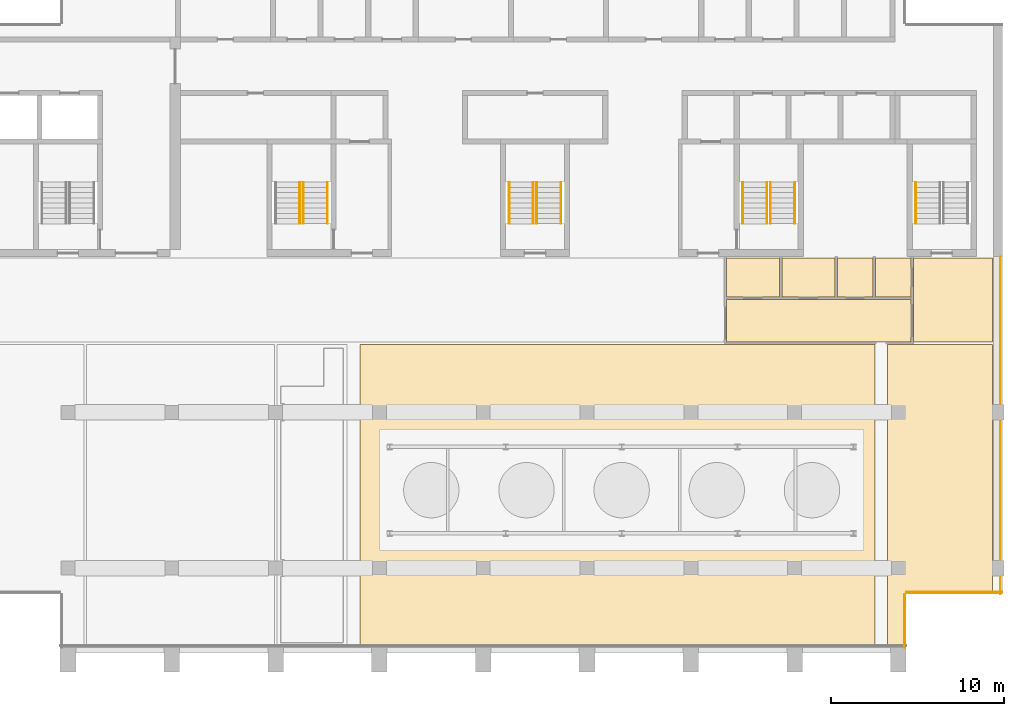
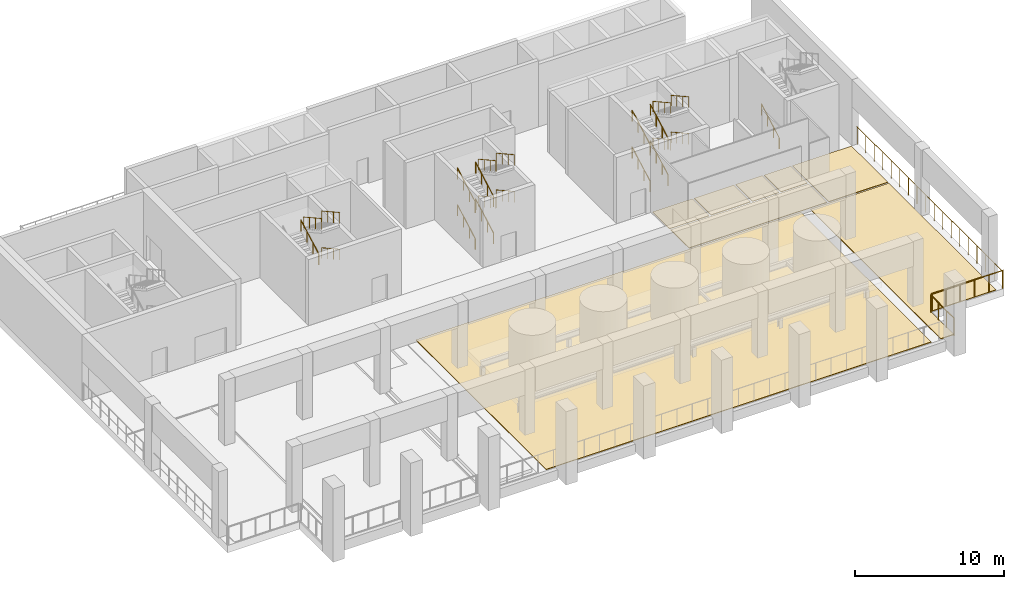
# One storey, part 9 of 11: 24 railings, 8 coverings, 4 elements without a shape of their own.
"""IFC4 building model written with IfcOpenShell, lengths in metres."""

from ifc_helpers import new_model, si_unit, direction, frame, origin, origin_2d, place, context, subcontext, project, spatial, polyline, circle, outline, extrude, material, layer, layer_set, type_object, element, aggregate, save


model = new_model("IFC4")

# Units and contexts
model_context = context("Model", 3, precision=1e-05, world=origin(), true_north=direction((0.0, 1.0)))
body_context = subcontext(model_context, "Body", "Model", "MODEL_VIEW")
ifc_project = project(units=[si_unit("LENGTHUNIT", "METRE"), si_unit("AREAUNIT", "SQUARE_METRE"), si_unit("VOLUMEUNIT", "CUBIC_METRE"), si_unit("PLANEANGLEUNIT", "RADIAN"), si_unit("MASSUNIT", "GRAM", prefix="KILO")], contexts=[model_context])

# Site, building, storey
site_placement = place(None, origin())
site = spatial("IfcSite", under=ifc_project, at=site_placement, CompositionType="ELEMENT")
building_placement = place(site_placement, origin())
building = spatial("IfcBuilding", under=site, at=building_placement, Name="Calvaro Tower", CompositionType="ELEMENT")
storey_placement = place(building_placement, frame((0.0, 0.0, 265.949951171875)))
storey = spatial("IfcBuildingStorey", under=building, at=storey_placement, Name="L67", CompositionType="ELEMENT", Elevation=265.949951171875)

# Coverings
ifc_material_1 = material(Name="Cement screed with carpet tile finish")
ifc_layer = layer(ifc_material_1, 0.050048828125)
ifc_layer_set = layer_set([ifc_layer], Name="Cement screed with carpet tile finish")
covering_type = type_object("IfcCoveringType", Name="Floor finish 50", PredefinedType="FLOORING", material=ifc_layer_set)
covering_1_placement = place(storey_placement, origin())
element("IfcCovering", 1, at=covering_1_placement, inside=storey, type_object=covering_type, Name="Floor finish 39.03", PredefinedType="FLOORING", context=body_context, shape_type="SweptSolid", body=[
    extrude(outline(polyline([(60.8701171875, 23.070068359375), (60.8701171875, 27.929931640625), (65.429931640625, 27.929931640625), (65.429931640625, 23.070068359375), (60.8701171875, 23.070068359375)])), origin(), (0.0, 0.0, 1.0), 0.050048828125),
])
covering_2_placement = place(storey_placement, origin())
element("IfcCovering", 2, at=covering_2_placement, inside=storey, type_object=covering_type, Name="Floor finish 39.06", PredefinedType="FLOORING", context=body_context, shape_type="SweptSolid", body=[
    extrude(outline(polyline([(58.6298828125, 22.929931640625), (58.6298828125, 5.469970703125), (28.8701171875, 5.469970703125), (28.8701171875, 22.929931640625), (58.6298828125, 22.929931640625)])), origin(), (0.0, 0.0, 1.0), 0.050048828125),
])
covering_3_placement = place(storey_placement, origin())
element("IfcCovering", 3, at=covering_3_placement, inside=storey, type_object=covering_type, Name="Floor finish 39.08", PredefinedType="FLOORING", context=body_context, shape_type="SweptSolid", body=[
    extrude(outline(polyline([(60.3798828125, 8.570068359375), (60.3798828125, 5.469970703125), (59.3701171875, 5.469970703125), (59.3701171875, 22.929931640625), (65.429931640625, 22.929931640625), (65.429931640625, 8.570068359375), (60.3798828125, 8.570068359375)])), origin(), (0.0, 0.0, 1.0), 0.050048828125),
])
covering_4_placement = place(storey_placement, origin())
element("IfcCovering", 4, at=covering_4_placement, inside=storey, type_object=covering_type, Name="Floor finish 39.01", PredefinedType="FLOORING", context=body_context, shape_type="SweptSolid", body=[
    extrude(outline(polyline([(50.070068359375, 25.530029296875), (60.72998046875, 25.530029296875), (60.72998046875, 23.070068359375), (50.070068359375, 23.070068359375), (50.070068359375, 25.530029296875)])), origin(), (0.0, 0.0, 1.0), 0.050048828125),
])
covering_5_placement = place(storey_placement, origin())
element("IfcCovering", 5, at=covering_5_placement, inside=storey, type_object=covering_type, Name="Floor finish 39.09", PredefinedType="FLOORING", context=body_context, shape_type="SweptSolid", body=[
    extrude(outline(polyline([(50.070068359375, 27.929931640625), (53.1298828125, 27.929931640625), (53.1298828125, 25.669921875), (50.070068359375, 25.669921875), (50.070068359375, 27.929931640625)])), origin(), (0.0, 0.0, 1.0), 0.050048828125),
])
covering_6_placement = place(storey_placement, origin())
element("IfcCovering", 6, at=covering_6_placement, inside=storey, type_object=covering_type, Name="Floor finish 39.10", PredefinedType="FLOORING", context=body_context, shape_type="SweptSolid", body=[
    extrude(outline(polyline([(53.27001953125, 27.929931640625), (56.330078125, 27.929931640625), (56.330078125, 25.669921875), (53.27001953125, 25.669921875), (53.27001953125, 27.929931640625)])), origin(), (0.0, 0.0, 1.0), 0.050048828125),
])
covering_7_placement = place(storey_placement, origin())
element("IfcCovering", 7, at=covering_7_placement, inside=storey, type_object=covering_type, Name="Floor finish 39.11", PredefinedType="FLOORING", context=body_context, shape_type="SweptSolid", body=[
    extrude(outline(polyline([(56.469970703125, 27.929931640625), (58.530029296875, 27.929931640625), (58.530029296875, 25.669921875), (56.469970703125, 25.669921875), (56.469970703125, 27.929931640625)])), origin(), (0.0, 0.0, 1.0), 0.050048828125),
])
covering_8_placement = place(storey_placement, origin())
element("IfcCovering", 8, at=covering_8_placement, inside=storey, type_object=covering_type, Name="Floor finish 39.12", PredefinedType="FLOORING", context=body_context, shape_type="SweptSolid", body=[
    extrude(outline(polyline([(58.669921875, 27.929931640625), (60.72998046875, 27.929931640625), (60.72998046875, 25.669921875), (58.669921875, 25.669921875), (58.669921875, 27.929931640625)])), origin(), (0.0, 0.0, 1.0), 0.050048828125),
])

# Railings
ifc_material_2 = material(Name="Stainless steel", Category="steel")
railing_type_1 = type_object("IfcRailingType", Name="Guard 1450", PredefinedType="GUARDRAIL", material=ifc_material_2)
railing_1_placement = place(storey_placement, frame((60.35009765625, 8.5, 0.0)))
element("IfcRailing", 9, at=railing_1_placement, inside=storey, type_object=railing_type_1, Name="Edge guard", PredefinedType="GUARDRAIL", context=body_context, shape_type="SweptSolid", body=[
    extrude(circle(Radius=0.02392578125, at=origin_2d()), frame((0.0, 0.0, 1.42578125), z_axis=(0.0, -1.0, 0.0), x_axis=(1.0, 0.0, 0.0)), (0.0, 0.0, 1.0), 3.10009765625),
    extrude(circle(Radius=0.02099609375, at=origin_2d()), frame((0.0, -0.02099609375, 0.0)), (0.0, 0.0, 1.0), 1.40185546875),
    extrude(circle(Radius=0.02099609375, at=origin_2d()), frame((0.0, -1.033447265625, 0.0)), (0.0, 0.0, 1.0), 1.40185546875),
    extrude(circle(Radius=0.02099609375, at=origin_2d()), frame((0.0, -2.066650390625, 0.0)), (0.0, 0.0, 1.0), 1.40185546875),
    extrude(circle(Radius=0.02099609375, at=origin_2d()), frame((0.0, -3.0791015625, 0.0)), (0.0, 0.0, 1.0), 1.40185546875),
])
railing_2_placement = place(storey_placement, frame((65.89990234375, 8.5, 0.0)))
element("IfcRailing", 10, at=railing_2_placement, inside=storey, type_object=railing_type_1, Name="Edge guard", PredefinedType="GUARDRAIL", context=body_context, shape_type="SweptSolid", body=[
    extrude(circle(Radius=0.02392578125, at=origin_2d()), frame((0.0, 0.0, 1.42578125), z_axis=(0.0, 1.0, 0.0), x_axis=(-1.0, 0.0, 0.0)), (0.0, 0.0, 1.0), 19.5),
    extrude(circle(Radius=0.02099609375, at=origin_2d()), frame((0.0, 0.02099609375, 0.0)), (0.0, 0.0, 1.0), 1.40185546875),
    extrude(circle(Radius=0.02099609375, at=origin_2d()), frame((0.0, 1.14697265625, 0.0)), (0.0, 0.0, 1.0), 1.40185546875),
    extrude(circle(Radius=0.02099609375, at=origin_2d()), frame((0.0, 2.294189453125, 0.0)), (0.0, 0.0, 1.0), 1.40185546875),
    extrude(circle(Radius=0.02099609375, at=origin_2d()), frame((0.0, 3.441162109375, 0.0)), (0.0, 0.0, 1.0), 1.40185546875),
    extrude(circle(Radius=0.02099609375, at=origin_2d()), frame((0.0, 4.588134765625, 0.0)), (0.0, 0.0, 1.0), 1.40185546875),
    extrude(circle(Radius=0.02099609375, at=origin_2d()), frame((0.0, 5.7353515625, 0.0)), (0.0, 0.0, 1.0), 1.40185546875),
    extrude(circle(Radius=0.02099609375, at=origin_2d()), frame((0.0, 6.88232421875, 0.0)), (0.0, 0.0, 1.0), 1.40185546875),
    extrude(circle(Radius=0.02099609375, at=origin_2d()), frame((0.0, 8.029296875, 0.0)), (0.0, 0.0, 1.0), 1.40185546875),
    extrude(circle(Radius=0.02099609375, at=origin_2d()), frame((0.0, 9.176513671875, 0.0)), (0.0, 0.0, 1.0), 1.40185546875),
    extrude(circle(Radius=0.02099609375, at=origin_2d()), frame((0.0, 10.323486328125, 0.0)), (0.0, 0.0, 1.0), 1.40185546875),
    extrude(circle(Radius=0.02099609375, at=origin_2d()), frame((0.0, 11.470703125, 0.0)), (0.0, 0.0, 1.0), 1.40185546875),
    extrude(circle(Radius=0.02099609375, at=origin_2d()), frame((0.0, 12.61767578125, 0.0)), (0.0, 0.0, 1.0), 1.40185546875),
    extrude(circle(Radius=0.02099609375, at=origin_2d()), frame((0.0, 13.7646484375, 0.0)), (0.0, 0.0, 1.0), 1.40185546875),
    extrude(circle(Radius=0.02099609375, at=origin_2d()), frame((0.0, 14.911865234375, 0.0)), (0.0, 0.0, 1.0), 1.40185546875),
    extrude(circle(Radius=0.02099609375, at=origin_2d()), frame((0.0, 16.058837890625, 0.0)), (0.0, 0.0, 1.0), 1.40185546875),
    extrude(circle(Radius=0.02099609375, at=origin_2d()), frame((0.0, 17.205810546875, 0.0)), (0.0, 0.0, 1.0), 1.40185546875),
    extrude(circle(Radius=0.02099609375, at=origin_2d()), frame((0.0, 18.35302734375, 0.0)), (0.0, 0.0, 1.0), 1.40185546875),
    extrude(circle(Radius=0.02099609375, at=origin_2d()), frame((0.0, 19.47900390625, 0.0)), (0.0, 0.0, 1.0), 1.40185546875),
])
railing_3_placement = place(storey_placement, frame((66.0, 8.60009765625, 0.0)))
element("IfcRailing", 11, at=railing_3_placement, inside=storey, type_object=railing_type_1, Name="Edge guard", PredefinedType="GUARDRAIL", context=body_context, shape_type="SweptSolid", body=[
    extrude(circle(Radius=0.02392578125, at=origin_2d()), frame((0.0, 0.0, 1.42578125), z_axis=(-1.0, 0.0, 0.0), x_axis=(0.0, -1.0, 0.0)), (0.0, 0.0, 1.0), 5.550048828125),
    extrude(circle(Radius=0.02099609375, at=origin_2d()), frame((-0.02099609375, 0.0, 0.0)), (0.0, 0.0, 1.0), 1.40185546875),
    extrude(circle(Radius=0.02099609375, at=origin_2d()), frame((-1.110107421875, 0.0, 0.0)), (0.0, 0.0, 1.0), 1.40185546875),
    extrude(circle(Radius=0.02099609375, at=origin_2d()), frame((-2.219970703125, 0.0, 0.0)), (0.0, 0.0, 1.0), 1.40185546875),
    extrude(circle(Radius=0.02099609375, at=origin_2d()), frame((-3.330078125, 0.0, 0.0)), (0.0, 0.0, 1.0), 1.40185546875),
    extrude(circle(Radius=0.02099609375, at=origin_2d()), frame((-4.43994140625, 0.0, 0.0)), (0.0, 0.0, 1.0), 1.40185546875),
    extrude(circle(Radius=0.02099609375, at=origin_2d()), frame((-5.529052734375, 0.0, 0.0)), (0.0, 0.0, 1.0), 1.40185546875),
])

# Stair, railings
ifc_material_3 = material(Name="Concrete C40/50", Category="concrete")
stair_type = type_object("IfcStairType", Name="Exit stair 1400 4 flights", PredefinedType="DOUBLE_RETURN_STAIR", material=ifc_material_3)
stair_1_placement = place(storey_placement, origin())
stair_1 = element("IfcStair", 12, at=stair_1_placement, inside=storey, type_object=stair_type, Name="Exit stair S2", PredefinedType="DOUBLE_RETURN_STAIR")
ifc_material_4 = material(Name="Stainless steel", Category="steel")
railing_type_2 = type_object("IfcRailingType", Name="Stair handrail", PredefinedType="HANDRAIL", material=ifc_material_4)
railing_4_placement = place(storey_placement, frame((27.0, 32.300048828125, 1.666748046875)))
railing_4 = element("IfcRailing", 13, at=railing_4_placement, type_object=railing_type_2, Name="Exit stair 2 handrail", PredefinedType="HANDRAIL", context=body_context, shape_type="SweptSolid", body=[
    extrude(circle(Radius=0.02392578125, at=origin_2d()), frame((0.0, 0.0, 0.8759765625), z_axis=(0.0, -0.874182441271, 0.485597631145), x_axis=(1.0, 0.0, 0.0)), (0.0, 0.0, 1.0), 2.74560546875),
    extrude(circle(Radius=0.02099609375, at=origin_2d()), frame((0.0, -0.018310546875, 0.01025390625)), (0.0, 0.0, 1.0), 0.851806640625),
    extrude(circle(Radius=0.02099609375, at=origin_2d()), frame((0.0, -0.800048828125, 0.4443359375)), (0.0, 0.0, 1.0), 0.851806640625),
    extrude(circle(Radius=0.02099609375, at=origin_2d()), frame((0.0, -1.60009765625, 0.888916015625)), (0.0, 0.0, 1.0), 0.851806640625),
    extrude(circle(Radius=0.02099609375, at=origin_2d()), frame((0.0, -2.3818359375, 1.322998046875)), (0.0, 0.0, 1.0), 0.851806640625),
])
railing_5_placement = place(storey_placement, frame((25.39990234375, 29.89990234375, 3.166748046875)))
railing_5 = element("IfcRailing", 14, at=railing_5_placement, type_object=railing_type_2, Name="Exit stair 2 handrail", PredefinedType="HANDRAIL", context=body_context, shape_type="SweptSolid", body=[
    extrude(circle(Radius=0.02392578125, at=origin_2d()), frame((0.0, 0.0, 0.8759765625), z_axis=(0.0, 0.874182441271, 0.485597631145), x_axis=(-1.0, 0.0, 0.0)), (0.0, 0.0, 1.0), 2.74560546875),
    extrude(circle(Radius=0.02099609375, at=origin_2d()), frame((0.0, 0.018310546875, 0.01025390625)), (0.0, 0.0, 1.0), 0.851806640625),
    extrude(circle(Radius=0.02099609375, at=origin_2d()), frame((0.0, 0.800048828125, 0.4443359375)), (0.0, 0.0, 1.0), 0.851806640625),
    extrude(circle(Radius=0.02099609375, at=origin_2d()), frame((0.0, 1.60009765625, 0.888916015625)), (0.0, 0.0, 1.0), 0.851806640625),
    extrude(circle(Radius=0.02099609375, at=origin_2d()), frame((0.0, 2.3818359375, 1.322998046875)), (0.0, 0.0, 1.0), 0.851806640625),
])
railing_6_placement = place(storey_placement, frame((25.60009765625, 32.300048828125, 4.666748046875)))
railing_6 = element("IfcRailing", 15, at=railing_6_placement, type_object=railing_type_2, Name="Exit stair 2 handrail", PredefinedType="HANDRAIL", context=body_context, shape_type="SweptSolid", body=[
    extrude(circle(Radius=0.02392578125, at=origin_2d()), frame((0.0, 0.0, 0.8759765625), z_axis=(0.0, -0.874182441271, 0.485597631145), x_axis=(1.0, 0.0, 0.0)), (0.0, 0.0, 1.0), 2.74560546875),
    extrude(circle(Radius=0.02099609375, at=origin_2d()), frame((0.0, -0.018310546875, 0.01025390625)), (0.0, 0.0, 1.0), 0.851806640625),
    extrude(circle(Radius=0.02099609375, at=origin_2d()), frame((0.0, -0.800048828125, 0.4443359375)), (0.0, 0.0, 1.0), 0.851806640625),
    extrude(circle(Radius=0.02099609375, at=origin_2d()), frame((0.0, -1.60009765625, 0.888916015625)), (0.0, 0.0, 1.0), 0.851806640625),
    extrude(circle(Radius=0.02099609375, at=origin_2d()), frame((0.0, -2.3818359375, 1.322998046875)), (0.0, 0.0, 1.0), 0.851806640625),
])
railing_7_placement = place(storey_placement, frame((27.0, 32.300048828125, 4.666748046875)))
railing_7 = element("IfcRailing", 16, at=railing_7_placement, type_object=railing_type_2, Name="Exit stair 2 handrail", PredefinedType="HANDRAIL", context=body_context, shape_type="SweptSolid", body=[
    extrude(circle(Radius=0.02392578125, at=origin_2d()), frame((0.0, 0.0, 0.8759765625), z_axis=(0.0, -0.874182441271, 0.485597631145), x_axis=(1.0, 0.0, 0.0)), (0.0, 0.0, 1.0), 2.74560546875),
    extrude(circle(Radius=0.02099609375, at=origin_2d()), frame((0.0, -0.018310546875, 0.01025390625)), (0.0, 0.0, 1.0), 0.851806640625),
    extrude(circle(Radius=0.02099609375, at=origin_2d()), frame((0.0, -0.800048828125, 0.4443359375)), (0.0, 0.0, 1.0), 0.851806640625),
    extrude(circle(Radius=0.02099609375, at=origin_2d()), frame((0.0, -1.60009765625, 0.888916015625)), (0.0, 0.0, 1.0), 0.851806640625),
    extrude(circle(Radius=0.02099609375, at=origin_2d()), frame((0.0, -2.3818359375, 1.322998046875)), (0.0, 0.0, 1.0), 0.851806640625),
])
aggregate(stair_1, [railing_4, railing_5, railing_6, railing_7])

stair_2_placement = place(storey_placement, origin())
stair_2 = element("IfcStair", 17, at=stair_2_placement, inside=storey, type_object=stair_type, Name="Exit stair S3", PredefinedType="DOUBLE_RETURN_STAIR")
railing_8_placement = place(storey_placement, frame((38.89990234375, 29.89990234375, 0.166748046875)))
railing_8 = element("IfcRailing", 18, at=railing_8_placement, type_object=railing_type_2, Name="Exit stair 3 handrail", PredefinedType="HANDRAIL", context=body_context, shape_type="SweptSolid", body=[
    extrude(circle(Radius=0.02392578125, at=origin_2d()), frame((0.0, 0.0, 0.8759765625), z_axis=(0.0, 0.874182441271, 0.485597631145), x_axis=(-1.0, 0.0, 0.0)), (0.0, 0.0, 1.0), 2.74560546875),
    extrude(circle(Radius=0.02099609375, at=origin_2d()), frame((0.0, 0.018310546875, 0.01025390625)), (0.0, 0.0, 1.0), 0.851806640625),
    extrude(circle(Radius=0.02099609375, at=origin_2d()), frame((0.0, 0.800048828125, 0.4443359375)), (0.0, 0.0, 1.0), 0.851806640625),
    extrude(circle(Radius=0.02099609375, at=origin_2d()), frame((0.0, 1.60009765625, 0.888916015625)), (0.0, 0.0, 1.0), 0.851806640625),
    extrude(circle(Radius=0.02099609375, at=origin_2d()), frame((0.0, 2.3818359375, 1.322998046875)), (0.0, 0.0, 1.0), 0.851806640625),
])
railing_9_placement = place(storey_placement, frame((37.5, 29.89990234375, 0.166748046875)))
railing_9 = element("IfcRailing", 19, at=railing_9_placement, type_object=railing_type_2, Name="Exit stair 3 handrail", PredefinedType="HANDRAIL", context=body_context, shape_type="SweptSolid", body=[
    extrude(circle(Radius=0.02392578125, at=origin_2d()), frame((0.0, 0.0, 0.8759765625), z_axis=(0.0, 0.874182441271, 0.485597631145), x_axis=(-1.0, 0.0, 0.0)), (0.0, 0.0, 1.0), 2.74560546875),
    extrude(circle(Radius=0.02099609375, at=origin_2d()), frame((0.0, 0.018310546875, 0.01025390625)), (0.0, 0.0, 1.0), 0.851806640625),
    extrude(circle(Radius=0.02099609375, at=origin_2d()), frame((0.0, 0.800048828125, 0.4443359375)), (0.0, 0.0, 1.0), 0.851806640625),
    extrude(circle(Radius=0.02099609375, at=origin_2d()), frame((0.0, 1.60009765625, 0.888916015625)), (0.0, 0.0, 1.0), 0.851806640625),
    extrude(circle(Radius=0.02099609375, at=origin_2d()), frame((0.0, 2.3818359375, 1.322998046875)), (0.0, 0.0, 1.0), 0.851806640625),
])
railing_10_placement = place(storey_placement, frame((39.10009765625, 32.300048828125, 1.666748046875)))
railing_10 = element("IfcRailing", 20, at=railing_10_placement, type_object=railing_type_2, Name="Exit stair 3 handrail", PredefinedType="HANDRAIL", context=body_context, shape_type="SweptSolid", body=[
    extrude(circle(Radius=0.02392578125, at=origin_2d()), frame((0.0, 0.0, 0.8759765625), z_axis=(0.0, -0.874182441271, 0.485597631145), x_axis=(1.0, 0.0, 0.0)), (0.0, 0.0, 1.0), 2.74560546875),
    extrude(circle(Radius=0.02099609375, at=origin_2d()), frame((0.0, -0.018310546875, 0.01025390625)), (0.0, 0.0, 1.0), 0.851806640625),
    extrude(circle(Radius=0.02099609375, at=origin_2d()), frame((0.0, -0.800048828125, 0.4443359375)), (0.0, 0.0, 1.0), 0.851806640625),
    extrude(circle(Radius=0.02099609375, at=origin_2d()), frame((0.0, -1.60009765625, 0.888916015625)), (0.0, 0.0, 1.0), 0.851806640625),
    extrude(circle(Radius=0.02099609375, at=origin_2d()), frame((0.0, -2.3818359375, 1.322998046875)), (0.0, 0.0, 1.0), 0.851806640625),
])
railing_11_placement = place(storey_placement, frame((40.5, 32.300048828125, 1.666748046875)))
railing_11 = element("IfcRailing", 21, at=railing_11_placement, type_object=railing_type_2, Name="Exit stair 3 handrail", PredefinedType="HANDRAIL", context=body_context, shape_type="SweptSolid", body=[
    extrude(circle(Radius=0.02392578125, at=origin_2d()), frame((0.0, 0.0, 0.8759765625), z_axis=(0.0, -0.874182441271, 0.485597631145), x_axis=(1.0, 0.0, 0.0)), (0.0, 0.0, 1.0), 2.74560546875),
    extrude(circle(Radius=0.02099609375, at=origin_2d()), frame((0.0, -0.018310546875, 0.01025390625)), (0.0, 0.0, 1.0), 0.851806640625),
    extrude(circle(Radius=0.02099609375, at=origin_2d()), frame((0.0, -0.800048828125, 0.4443359375)), (0.0, 0.0, 1.0), 0.851806640625),
    extrude(circle(Radius=0.02099609375, at=origin_2d()), frame((0.0, -1.60009765625, 0.888916015625)), (0.0, 0.0, 1.0), 0.851806640625),
    extrude(circle(Radius=0.02099609375, at=origin_2d()), frame((0.0, -2.3818359375, 1.322998046875)), (0.0, 0.0, 1.0), 0.851806640625),
])
railing_12_placement = place(storey_placement, frame((38.89990234375, 29.89990234375, 3.166748046875)))
railing_12 = element("IfcRailing", 22, at=railing_12_placement, type_object=railing_type_2, Name="Exit stair 3 handrail", PredefinedType="HANDRAIL", context=body_context, shape_type="SweptSolid", body=[
    extrude(circle(Radius=0.02392578125, at=origin_2d()), frame((0.0, 0.0, 0.8759765625), z_axis=(0.0, 0.874182441271, 0.485597631145), x_axis=(-1.0, 0.0, 0.0)), (0.0, 0.0, 1.0), 2.74560546875),
    extrude(circle(Radius=0.02099609375, at=origin_2d()), frame((0.0, 0.018310546875, 0.01025390625)), (0.0, 0.0, 1.0), 0.851806640625),
    extrude(circle(Radius=0.02099609375, at=origin_2d()), frame((0.0, 0.800048828125, 0.4443359375)), (0.0, 0.0, 1.0), 0.851806640625),
    extrude(circle(Radius=0.02099609375, at=origin_2d()), frame((0.0, 1.60009765625, 0.888916015625)), (0.0, 0.0, 1.0), 0.851806640625),
    extrude(circle(Radius=0.02099609375, at=origin_2d()), frame((0.0, 2.3818359375, 1.322998046875)), (0.0, 0.0, 1.0), 0.851806640625),
])
railing_13_placement = place(storey_placement, frame((37.5, 29.89990234375, 3.166748046875)))
railing_13 = element("IfcRailing", 23, at=railing_13_placement, type_object=railing_type_2, Name="Exit stair 3 handrail", PredefinedType="HANDRAIL", context=body_context, shape_type="SweptSolid", body=[
    extrude(circle(Radius=0.02392578125, at=origin_2d()), frame((0.0, 0.0, 0.8759765625), z_axis=(0.0, 0.874182441271, 0.485597631145), x_axis=(-1.0, 0.0, 0.0)), (0.0, 0.0, 1.0), 2.74560546875),
    extrude(circle(Radius=0.02099609375, at=origin_2d()), frame((0.0, 0.018310546875, 0.01025390625)), (0.0, 0.0, 1.0), 0.851806640625),
    extrude(circle(Radius=0.02099609375, at=origin_2d()), frame((0.0, 0.800048828125, 0.4443359375)), (0.0, 0.0, 1.0), 0.851806640625),
    extrude(circle(Radius=0.02099609375, at=origin_2d()), frame((0.0, 1.60009765625, 0.888916015625)), (0.0, 0.0, 1.0), 0.851806640625),
    extrude(circle(Radius=0.02099609375, at=origin_2d()), frame((0.0, 2.3818359375, 1.322998046875)), (0.0, 0.0, 1.0), 0.851806640625),
])
railing_14_placement = place(storey_placement, frame((39.10009765625, 32.300048828125, 4.666748046875)))
railing_14 = element("IfcRailing", 24, at=railing_14_placement, type_object=railing_type_2, Name="Exit stair 3 handrail", PredefinedType="HANDRAIL", context=body_context, shape_type="SweptSolid", body=[
    extrude(circle(Radius=0.02392578125, at=origin_2d()), frame((0.0, 0.0, 0.8759765625), z_axis=(0.0, -0.874182441271, 0.485597631145), x_axis=(1.0, 0.0, 0.0)), (0.0, 0.0, 1.0), 2.74560546875),
    extrude(circle(Radius=0.02099609375, at=origin_2d()), frame((0.0, -0.018310546875, 0.01025390625)), (0.0, 0.0, 1.0), 0.851806640625),
    extrude(circle(Radius=0.02099609375, at=origin_2d()), frame((0.0, -0.800048828125, 0.4443359375)), (0.0, 0.0, 1.0), 0.851806640625),
    extrude(circle(Radius=0.02099609375, at=origin_2d()), frame((0.0, -1.60009765625, 0.888916015625)), (0.0, 0.0, 1.0), 0.851806640625),
    extrude(circle(Radius=0.02099609375, at=origin_2d()), frame((0.0, -2.3818359375, 1.322998046875)), (0.0, 0.0, 1.0), 0.851806640625),
])
railing_15_placement = place(storey_placement, frame((40.5, 32.300048828125, 4.666748046875)))
railing_15 = element("IfcRailing", 25, at=railing_15_placement, type_object=railing_type_2, Name="Exit stair 3 handrail", PredefinedType="HANDRAIL", context=body_context, shape_type="SweptSolid", body=[
    extrude(circle(Radius=0.02392578125, at=origin_2d()), frame((0.0, 0.0, 0.8759765625), z_axis=(0.0, -0.874182441271, 0.485597631145), x_axis=(1.0, 0.0, 0.0)), (0.0, 0.0, 1.0), 2.74560546875),
    extrude(circle(Radius=0.02099609375, at=origin_2d()), frame((0.0, -0.018310546875, 0.01025390625)), (0.0, 0.0, 1.0), 0.851806640625),
    extrude(circle(Radius=0.02099609375, at=origin_2d()), frame((0.0, -0.800048828125, 0.4443359375)), (0.0, 0.0, 1.0), 0.851806640625),
    extrude(circle(Radius=0.02099609375, at=origin_2d()), frame((0.0, -1.60009765625, 0.888916015625)), (0.0, 0.0, 1.0), 0.851806640625),
    extrude(circle(Radius=0.02099609375, at=origin_2d()), frame((0.0, -2.3818359375, 1.322998046875)), (0.0, 0.0, 1.0), 0.851806640625),
])
aggregate(stair_2, [railing_8, railing_9, railing_10, railing_11, railing_12, railing_13, railing_14, railing_15])

stair_3_placement = place(storey_placement, origin())
stair_3 = element("IfcStair", 26, at=stair_3_placement, inside=storey, type_object=stair_type, Name="Exit stair S4", PredefinedType="DOUBLE_RETURN_STAIR")
railing_16_placement = place(storey_placement, frame((52.39990234375, 29.89990234375, 0.166748046875)))
railing_16 = element("IfcRailing", 27, at=railing_16_placement, type_object=railing_type_2, Name="Exit stair 4 handrail", PredefinedType="HANDRAIL", context=body_context, shape_type="SweptSolid", body=[
    extrude(circle(Radius=0.02392578125, at=origin_2d()), frame((0.0, 0.0, 0.8759765625), z_axis=(0.0, 0.874182441271, 0.485597631145), x_axis=(-1.0, 0.0, 0.0)), (0.0, 0.0, 1.0), 2.74560546875),
    extrude(circle(Radius=0.02099609375, at=origin_2d()), frame((0.0, 0.018310546875, 0.01025390625)), (0.0, 0.0, 1.0), 0.851806640625),
    extrude(circle(Radius=0.02099609375, at=origin_2d()), frame((0.0, 0.800048828125, 0.4443359375)), (0.0, 0.0, 1.0), 0.851806640625),
    extrude(circle(Radius=0.02099609375, at=origin_2d()), frame((0.0, 1.60009765625, 0.888916015625)), (0.0, 0.0, 1.0), 0.851806640625),
    extrude(circle(Radius=0.02099609375, at=origin_2d()), frame((0.0, 2.3818359375, 1.322998046875)), (0.0, 0.0, 1.0), 0.851806640625),
])
railing_17_placement = place(storey_placement, frame((51.0, 29.89990234375, 0.166748046875)))
railing_17 = element("IfcRailing", 28, at=railing_17_placement, type_object=railing_type_2, Name="Exit stair 4 handrail", PredefinedType="HANDRAIL", context=body_context, shape_type="SweptSolid", body=[
    extrude(circle(Radius=0.02392578125, at=origin_2d()), frame((0.0, 0.0, 0.8759765625), z_axis=(0.0, 0.874182441271, 0.485597631145), x_axis=(-1.0, 0.0, 0.0)), (0.0, 0.0, 1.0), 2.74560546875),
    extrude(circle(Radius=0.02099609375, at=origin_2d()), frame((0.0, 0.018310546875, 0.01025390625)), (0.0, 0.0, 1.0), 0.851806640625),
    extrude(circle(Radius=0.02099609375, at=origin_2d()), frame((0.0, 0.800048828125, 0.4443359375)), (0.0, 0.0, 1.0), 0.851806640625),
    extrude(circle(Radius=0.02099609375, at=origin_2d()), frame((0.0, 1.60009765625, 0.888916015625)), (0.0, 0.0, 1.0), 0.851806640625),
    extrude(circle(Radius=0.02099609375, at=origin_2d()), frame((0.0, 2.3818359375, 1.322998046875)), (0.0, 0.0, 1.0), 0.851806640625),
])
railing_18_placement = place(storey_placement, frame((52.60009765625, 32.300048828125, 1.666748046875)))
railing_18 = element("IfcRailing", 29, at=railing_18_placement, type_object=railing_type_2, Name="Exit stair 4 handrail", PredefinedType="HANDRAIL", context=body_context, shape_type="SweptSolid", body=[
    extrude(circle(Radius=0.02392578125, at=origin_2d()), frame((0.0, 0.0, 0.8759765625), z_axis=(0.0, -0.874182441271, 0.485597631145), x_axis=(1.0, 0.0, 0.0)), (0.0, 0.0, 1.0), 2.74560546875),
    extrude(circle(Radius=0.02099609375, at=origin_2d()), frame((0.0, -0.018310546875, 0.01025390625)), (0.0, 0.0, 1.0), 0.851806640625),
    extrude(circle(Radius=0.02099609375, at=origin_2d()), frame((0.0, -0.800048828125, 0.4443359375)), (0.0, 0.0, 1.0), 0.851806640625),
    extrude(circle(Radius=0.02099609375, at=origin_2d()), frame((0.0, -1.60009765625, 0.888916015625)), (0.0, 0.0, 1.0), 0.851806640625),
    extrude(circle(Radius=0.02099609375, at=origin_2d()), frame((0.0, -2.3818359375, 1.322998046875)), (0.0, 0.0, 1.0), 0.851806640625),
])
railing_19_placement = place(storey_placement, frame((54.0, 32.300048828125, 1.666748046875)))
railing_19 = element("IfcRailing", 30, at=railing_19_placement, type_object=railing_type_2, Name="Exit stair 4 handrail", PredefinedType="HANDRAIL", context=body_context, shape_type="SweptSolid", body=[
    extrude(circle(Radius=0.02392578125, at=origin_2d()), frame((0.0, 0.0, 0.8759765625), z_axis=(0.0, -0.874182441271, 0.485597631145), x_axis=(1.0, 0.0, 0.0)), (0.0, 0.0, 1.0), 2.74560546875),
    extrude(circle(Radius=0.02099609375, at=origin_2d()), frame((0.0, -0.018310546875, 0.01025390625)), (0.0, 0.0, 1.0), 0.851806640625),
    extrude(circle(Radius=0.02099609375, at=origin_2d()), frame((0.0, -0.800048828125, 0.4443359375)), (0.0, 0.0, 1.0), 0.851806640625),
    extrude(circle(Radius=0.02099609375, at=origin_2d()), frame((0.0, -1.60009765625, 0.888916015625)), (0.0, 0.0, 1.0), 0.851806640625),
    extrude(circle(Radius=0.02099609375, at=origin_2d()), frame((0.0, -2.3818359375, 1.322998046875)), (0.0, 0.0, 1.0), 0.851806640625),
])
railing_20_placement = place(storey_placement, frame((52.39990234375, 29.89990234375, 3.166748046875)))
railing_20 = element("IfcRailing", 31, at=railing_20_placement, type_object=railing_type_2, Name="Exit stair 4 handrail", PredefinedType="HANDRAIL", context=body_context, shape_type="SweptSolid", body=[
    extrude(circle(Radius=0.02392578125, at=origin_2d()), frame((0.0, 0.0, 0.8759765625), z_axis=(0.0, 0.874182441271, 0.485597631145), x_axis=(-1.0, 0.0, 0.0)), (0.0, 0.0, 1.0), 2.74560546875),
    extrude(circle(Radius=0.02099609375, at=origin_2d()), frame((0.0, 0.018310546875, 0.01025390625)), (0.0, 0.0, 1.0), 0.851806640625),
    extrude(circle(Radius=0.02099609375, at=origin_2d()), frame((0.0, 0.800048828125, 0.4443359375)), (0.0, 0.0, 1.0), 0.851806640625),
    extrude(circle(Radius=0.02099609375, at=origin_2d()), frame((0.0, 1.60009765625, 0.888916015625)), (0.0, 0.0, 1.0), 0.851806640625),
    extrude(circle(Radius=0.02099609375, at=origin_2d()), frame((0.0, 2.3818359375, 1.322998046875)), (0.0, 0.0, 1.0), 0.851806640625),
])
railing_21_placement = place(storey_placement, frame((51.0, 29.89990234375, 3.166748046875)))
railing_21 = element("IfcRailing", 32, at=railing_21_placement, type_object=railing_type_2, Name="Exit stair 4 handrail", PredefinedType="HANDRAIL", context=body_context, shape_type="SweptSolid", body=[
    extrude(circle(Radius=0.02392578125, at=origin_2d()), frame((0.0, 0.0, 0.8759765625), z_axis=(0.0, 0.874182441271, 0.485597631145), x_axis=(-1.0, 0.0, 0.0)), (0.0, 0.0, 1.0), 2.74560546875),
    extrude(circle(Radius=0.02099609375, at=origin_2d()), frame((0.0, 0.018310546875, 0.01025390625)), (0.0, 0.0, 1.0), 0.851806640625),
    extrude(circle(Radius=0.02099609375, at=origin_2d()), frame((0.0, 0.800048828125, 0.4443359375)), (0.0, 0.0, 1.0), 0.851806640625),
    extrude(circle(Radius=0.02099609375, at=origin_2d()), frame((0.0, 1.60009765625, 0.888916015625)), (0.0, 0.0, 1.0), 0.851806640625),
    extrude(circle(Radius=0.02099609375, at=origin_2d()), frame((0.0, 2.3818359375, 1.322998046875)), (0.0, 0.0, 1.0), 0.851806640625),
])
railing_22_placement = place(storey_placement, frame((52.60009765625, 32.300048828125, 4.666748046875)))
railing_22 = element("IfcRailing", 33, at=railing_22_placement, type_object=railing_type_2, Name="Exit stair 4 handrail", PredefinedType="HANDRAIL", context=body_context, shape_type="SweptSolid", body=[
    extrude(circle(Radius=0.02392578125, at=origin_2d()), frame((0.0, 0.0, 0.8759765625), z_axis=(0.0, -0.874182441271, 0.485597631145), x_axis=(1.0, 0.0, 0.0)), (0.0, 0.0, 1.0), 2.74560546875),
    extrude(circle(Radius=0.02099609375, at=origin_2d()), frame((0.0, -0.018310546875, 0.01025390625)), (0.0, 0.0, 1.0), 0.851806640625),
    extrude(circle(Radius=0.02099609375, at=origin_2d()), frame((0.0, -0.800048828125, 0.4443359375)), (0.0, 0.0, 1.0), 0.851806640625),
    extrude(circle(Radius=0.02099609375, at=origin_2d()), frame((0.0, -1.60009765625, 0.888916015625)), (0.0, 0.0, 1.0), 0.851806640625),
    extrude(circle(Radius=0.02099609375, at=origin_2d()), frame((0.0, -2.3818359375, 1.322998046875)), (0.0, 0.0, 1.0), 0.851806640625),
])
railing_23_placement = place(storey_placement, frame((54.0, 32.300048828125, 4.666748046875)))
railing_23 = element("IfcRailing", 34, at=railing_23_placement, type_object=railing_type_2, Name="Exit stair 4 handrail", PredefinedType="HANDRAIL", context=body_context, shape_type="SweptSolid", body=[
    extrude(circle(Radius=0.02392578125, at=origin_2d()), frame((0.0, 0.0, 0.8759765625), z_axis=(0.0, -0.874182441271, 0.485597631145), x_axis=(1.0, 0.0, 0.0)), (0.0, 0.0, 1.0), 2.74560546875),
    extrude(circle(Radius=0.02099609375, at=origin_2d()), frame((0.0, -0.018310546875, 0.01025390625)), (0.0, 0.0, 1.0), 0.851806640625),
    extrude(circle(Radius=0.02099609375, at=origin_2d()), frame((0.0, -0.800048828125, 0.4443359375)), (0.0, 0.0, 1.0), 0.851806640625),
    extrude(circle(Radius=0.02099609375, at=origin_2d()), frame((0.0, -1.60009765625, 0.888916015625)), (0.0, 0.0, 1.0), 0.851806640625),
    extrude(circle(Radius=0.02099609375, at=origin_2d()), frame((0.0, -2.3818359375, 1.322998046875)), (0.0, 0.0, 1.0), 0.851806640625),
])
aggregate(stair_3, [railing_16, railing_17, railing_18, railing_19, railing_20, railing_21, railing_22, railing_23])

# Stair, railing
stair_4_placement = place(storey_placement, origin())
stair_4 = element("IfcStair", 35, at=stair_4_placement, inside=storey, type_object=stair_type, Name="Exit stair S5", PredefinedType="DOUBLE_RETURN_STAIR")
railing_24_placement = place(storey_placement, frame((61.0, 29.89990234375, 0.166748046875)))
railing_24 = element("IfcRailing", 36, at=railing_24_placement, type_object=railing_type_2, Name="Exit stair 5 handrail", PredefinedType="HANDRAIL", context=body_context, shape_type="SweptSolid", body=[
    extrude(circle(Radius=0.02392578125, at=origin_2d()), frame((0.0, 0.0, 0.8759765625), z_axis=(0.0, 0.874182441271, 0.485597631145), x_axis=(-1.0, 0.0, 0.0)), (0.0, 0.0, 1.0), 2.74560546875),
    extrude(circle(Radius=0.02099609375, at=origin_2d()), frame((0.0, 0.018310546875, 0.01025390625)), (0.0, 0.0, 1.0), 0.851806640625),
    extrude(circle(Radius=0.02099609375, at=origin_2d()), frame((0.0, 0.800048828125, 0.4443359375)), (0.0, 0.0, 1.0), 0.851806640625),
    extrude(circle(Radius=0.02099609375, at=origin_2d()), frame((0.0, 1.60009765625, 0.888916015625)), (0.0, 0.0, 1.0), 0.851806640625),
    extrude(circle(Radius=0.02099609375, at=origin_2d()), frame((0.0, 2.3818359375, 1.322998046875)), (0.0, 0.0, 1.0), 0.851806640625),
])
aggregate(stair_4, [railing_24])

save(model, "model.ifc")
